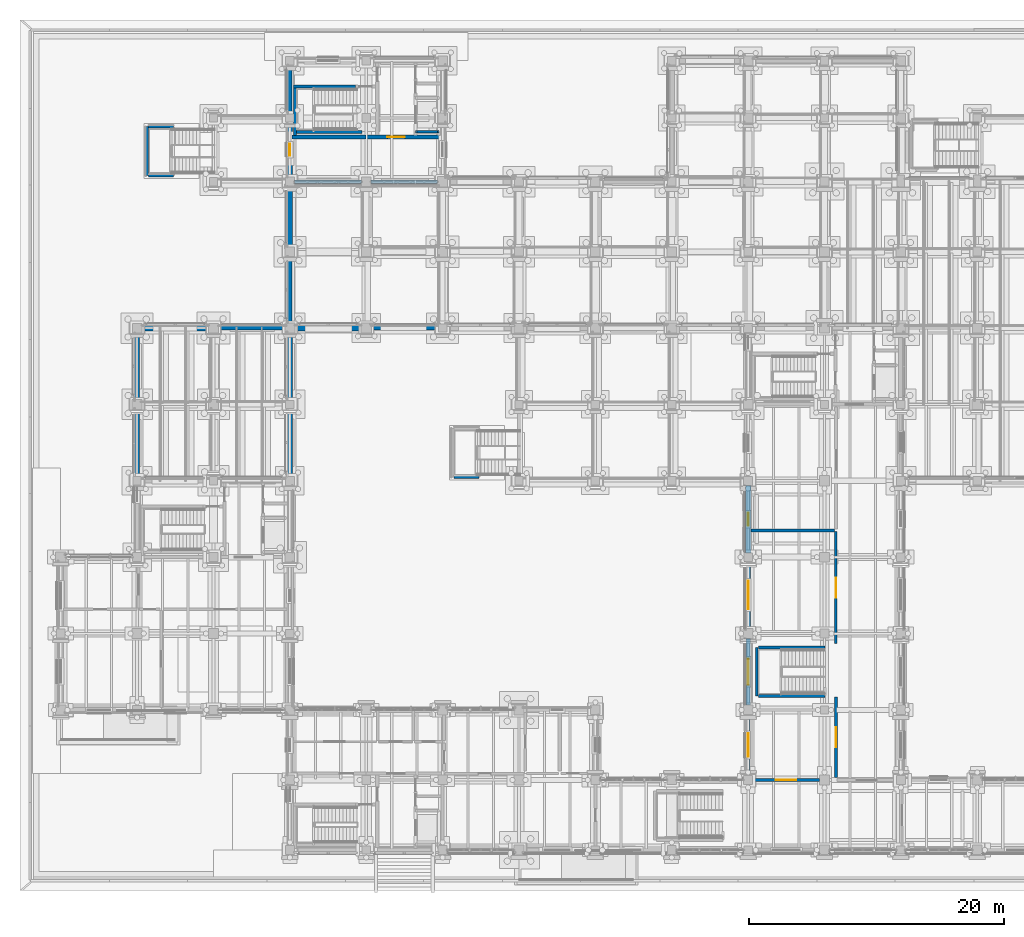
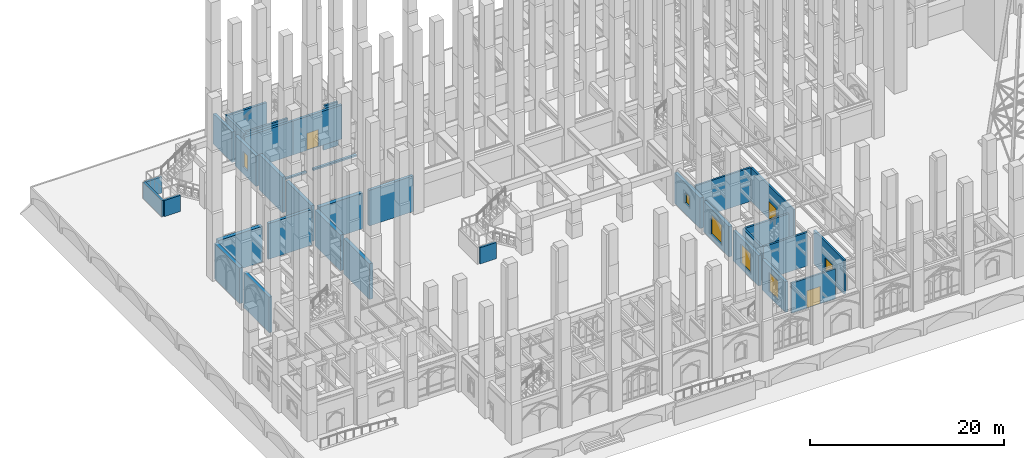
# One storey, part 61 of 135: 36 walls, 5 windows, 4 doors, 9 openings.
"""IFC4 building model written with IfcOpenShell, lengths in metres."""

import ifcopenshell
import ifcopenshell.guid

model = None  # the IFC model being written
_history = None  # IfcOwnerHistory: only IFC2X3 demands one
_inside = {}  # id of a spatial element -> (the spatial element, [elements in it])
_under = {}  # id of a project, library or spatial element -> (it, [spatial elements below it])
_declared = {}  # id of a project -> (the project, [libraries it declares])
_typed = {}  # id of a type object -> (the type object, [elements of that type])
_made_of = {}  # id of a material, layer set ... -> (it, [elements and type objects made of it])


def new_model(schema):
    """Start an empty IFC model of exactly this schema.

    Asked for "IFC4X3", IfcOpenShell would pick the latest addendum, in which some entities
    have other attributes; the version numbers below select the first issue.
    IFC2X3 requires an IfcOwnerHistory on every rooted entity: one is made here for all.
    """
    global model, _history
    if schema == "IFC4X3":
        model = ifcopenshell.file(schema_version=(4, 3, 0, 0))
    else:
        model = ifcopenshell.file(schema=schema)
    _inside.clear()
    _under.clear()
    _declared.clear()
    _typed.clear()
    _made_of.clear()
    _history = None
    if model.schema == "IFC2X3":
        org = make("IfcOrganization", Name="unknown")
        user = make(
            "IfcPersonAndOrganization",
            ThePerson=make("IfcPerson", FamilyName="unknown"),
            TheOrganization=org,
        )
        app = make(
            "IfcApplication",
            ApplicationDeveloper=org,
            Version="unknown",
            ApplicationFullName="unknown",
            ApplicationIdentifier="unknown",
        )
        _history = make(
            "IfcOwnerHistory",
            OwningUser=user,
            OwningApplication=app,
            ChangeAction="ADDED",
            CreationDate=0,
        )
    return model


def make(cls, **values):
    """One entity of the class cls with the attributes given. An attribute that is None is left unset."""
    return model.create_entity(
        cls, **{name: value for name, value in values.items() if value is not None}
    )


def rooted(cls, **values):
    """An entity with a GlobalId (a new one), such as an element, a storey or a relation."""
    return make(cls, GlobalId=ifcopenshell.guid.new(), OwnerHistory=_history, **values)


def si_unit(unit_type, name, prefix=None):
    """IfcSIUnit, for example si_unit("LENGTHUNIT", "METRE", prefix="MILLI")."""
    return make("IfcSIUnit", UnitType=unit_type, Prefix=prefix, Name=name)


def assignment(units):
    """IfcUnitAssignment: the units of a project."""
    return None if units is None else make("IfcUnitAssignment", Units=units)


def point(xyz):
    """IfcCartesianPoint."""
    return None if xyz is None else make("IfcCartesianPoint", Coordinates=xyz)


def direction(xyz):
    """IfcDirection."""
    return None if xyz is None else make("IfcDirection", DirectionRatios=xyz)


def frame(location, z_axis=None, x_axis=None):
    """IfcAxis2Placement3D, a coordinate frame: its origin and axes. An axis left out is left unset."""
    return make(
        "IfcAxis2Placement3D",
        Location=point(location),
        Axis=direction(z_axis),
        RefDirection=direction(x_axis),
    )


def frame_2d(location, x_axis=None):
    """IfcAxis2Placement2D, a coordinate frame in the plane: its origin and x axis."""
    return make(
        "IfcAxis2Placement2D", Location=point(location), RefDirection=direction(x_axis)
    )


def origin():
    """The frame at (0, 0, 0) with its axes left unset."""
    return frame((0.0, 0.0, 0.0))


def place(relative_to, where):
    """IfcLocalPlacement: puts the frame where relative to a parent placement (None: the world)."""
    return make(
        "IfcLocalPlacement", PlacementRelTo=relative_to, RelativePlacement=where
    )


def context(
    kind, dimensions, precision=None, world=None, true_north=None, identifier=None
):
    """IfcGeometricRepresentationContext, for example the 3D "Model" context."""
    return make(
        "IfcGeometricRepresentationContext",
        ContextIdentifier=identifier,
        ContextType=kind,
        CoordinateSpaceDimension=dimensions,
        Precision=precision,
        WorldCoordinateSystem=world,
        TrueNorth=true_north,
    )


def subcontext(parent, identifier, kind, view, scale=None):
    """IfcGeometricRepresentationSubContext, for example "Body" below "Model"."""
    return make(
        "IfcGeometricRepresentationSubContext",
        ContextIdentifier=identifier,
        ContextType=kind,
        ParentContext=parent,
        TargetScale=scale,
        TargetView=view,
    )


def project(units=None, contexts=None):
    """IfcProject with its units and contexts."""
    return rooted(
        "IfcProject",
        Name="project",
        RepresentationContexts=contexts,
        UnitsInContext=assignment(units),
    )


def spatial(cls, under=None, at=None, **own):
    """A site, building, storey or space (cls), placed at a placement, below another one or the project."""
    s = rooted(cls, ObjectPlacement=at, **own)
    if under is not None:
        _under.setdefault(under.id(), (under, []))[1].append(s)
    return s


def profile(cls, at=None, kind="AREA", **sizes):
    """A parametric profile (cls). Its sizes go by their IFC names, for example OverallWidth=200.0."""
    return make(cls, ProfileType=kind, Position=at, **sizes)


def rectangle(**sizes):
    """IfcRectangleProfileDef."""
    return profile("IfcRectangleProfileDef", **sizes)


def extrude(swept, where, along, depth):
    """IfcExtrudedAreaSolid: the profile swept, set in the frame where, extruded along a direction by depth."""
    return make(
        "IfcExtrudedAreaSolid",
        SweptArea=swept,
        Position=where,
        ExtrudedDirection=direction(along),
        Depth=depth,
    )


def shape(context_of_items, identifier, shape_type, items):
    """IfcShapeRepresentation: the items that make up one representation, for example the "Body"."""
    return make(
        "IfcShapeRepresentation",
        ContextOfItems=context_of_items,
        RepresentationIdentifier=identifier,
        RepresentationType=shape_type,
        Items=items,
    )


def material(Name=None, Category=None):
    """IfcMaterial."""
    return make("IfcMaterial", Name=Name, Category=Category)


def layer(
    of_material, thickness, ventilated=None, Name=None, Category=None, Priority=None
):
    """IfcMaterialLayer: one layer of a wall or slab, of a material (None: an air gap)."""
    return make(
        "IfcMaterialLayer",
        Material=of_material,
        LayerThickness=thickness,
        IsVentilated=ventilated,
        Name=Name,
        Category=Category,
        Priority=Priority,
    )


def layer_set(layers, Name=None):
    """IfcMaterialLayerSet."""
    return make("IfcMaterialLayerSet", MaterialLayers=layers, LayerSetName=Name)


def made_of(thing, what):
    """Note that an element or type object is made of a material, layer set ...; save() writes the relation."""
    if what is not None:
        _made_of.setdefault(what.id(), (what, []))[1].append(thing)
    return thing


def type_object(cls, material=None, **own):
    """A type object (cls), such as IfcWallType, which elements share."""
    return made_of(rooted(cls, **own), material)


def element(
    cls,
    number,
    at=None,
    inside=None,
    cuts=None,
    type_object=None,
    material=None,
    context=None,
    identifier="Body",
    shape_type=None,
    held_by="IfcProductDefinitionShape",
    body=None,
    shapes=None,
    **own,
):
    """One element of the class cls, such as IfcWall. Its Tag is "e" and its number.

    at: its placement. inside: the storey or other place that contains it. cuts: it is an
    opening in that element (IfcRelVoidsElement). A single representation is given by context,
    identifier, shape_type and body (its items); several are given by shapes. held_by: the class
    of the entity that holds the representations. save() writes the other relations.
    """
    e = rooted(cls, Tag="e%d" % number, ObjectPlacement=at, **own)
    if body is not None:
        shapes = [shape(context, identifier, shape_type, body)]
    if shapes is not None:
        e.Representation = make(held_by, Representations=shapes)
    if inside is not None:
        _inside.setdefault(inside.id(), (inside, []))[1].append(e)
    if cuts is not None:
        rooted(
            "IfcRelVoidsElement", RelatingBuildingElement=cuts, RelatedOpeningElement=e
        )
    if type_object is not None:
        _typed.setdefault(type_object.id(), (type_object, []))[1].append(e)
    return made_of(e, material)


def fill(opening, filler):
    """IfcRelFillsElement: the door or window that sits in an opening."""
    return rooted(
        "IfcRelFillsElement",
        RelatingOpeningElement=opening,
        RelatedBuildingElement=filler,
    )


def aggregate(whole, parts):
    """IfcRelAggregates: a whole, such as a stair, and the parts it consists of."""
    return rooted("IfcRelAggregates", RelatingObject=whole, RelatedObjects=parts)


def save(model, path):
    """Write the relations noted so far, then the file.

    IfcRelAggregates (storeys below a building ...), IfcRelContainedInSpatialStructure (elements
    in a storey), IfcRelDefinesByType, IfcRelAssociatesMaterial and IfcRelDeclares: one each for
    every whole, place, type object, material and project.
    """
    for whole, parts in _under.values():
        aggregate(whole, parts)
    for where, things in _inside.values():
        rooted(
            "IfcRelContainedInSpatialStructure",
            RelatedElements=things,
            RelatingStructure=where,
        )
    for kind, things in _typed.values():
        rooted("IfcRelDefinesByType", RelatedObjects=things, RelatingType=kind)
    for what, things in _made_of.values():
        rooted("IfcRelAssociatesMaterial", RelatedObjects=things, RelatingMaterial=what)
    for by, libraries in _declared.values():
        rooted("IfcRelDeclares", RelatingContext=by, RelatedDefinitions=libraries)
    model.write(path)


model = new_model("IFC4")

# Units and contexts
model_context = context("Model", 3, precision=1e-05, world=origin(), true_north=direction((0.0, 1.0)))
body_context = subcontext(model_context, "Body", "Model", "MODEL_VIEW")
ifc_project = project(units=[si_unit("LENGTHUNIT", "METRE"), si_unit("AREAUNIT", "SQUARE_METRE"), si_unit("VOLUMEUNIT", "CUBIC_METRE"), si_unit("PLANEANGLEUNIT", "RADIAN"), si_unit("MASSUNIT", "GRAM", prefix="KILO")], contexts=[model_context])

# Site, building, storey
site_placement = place(None, origin())
site = spatial("IfcSite", under=ifc_project, at=site_placement, CompositionType="ELEMENT")
building_placement = place(site_placement, origin())
building = spatial("IfcBuilding", under=site, at=building_placement, Name="Cumevento Cable Car Station", CompositionType="ELEMENT")
storey_placement = place(building_placement, origin())
storey = spatial("IfcBuildingStorey", under=building, at=storey_placement, Name="L01", CompositionType="ELEMENT", Elevation=0.0)

# Walls
ifc_material_1 = material(Name="Gnaisse Facoidal Stone Ashlar 85 MPa", Category="masonry")
ifc_layer_1 = layer(ifc_material_1, 0.294921875)
ifc_layer_set_1 = layer_set([ifc_layer_1], Name="Gnaisse Facoidal Stone Ashlar 85 MPa")
wall_type_1 = type_object("IfcWallType", Name="Exterior Envelope Wall EW-295 295", PredefinedType="SOLIDWALL", material=ifc_layer_set_1)
wall_1_placement = place(storey_placement, frame((27.625, 56.5, 0.0), z_axis=(0.0, 0.0, 1.0), x_axis=(-1.0, 0.0, 0.0)))
element("IfcWall", 1, at=wall_1_placement, inside=storey, type_object=wall_type_1, Name="Exterior Sill Curb Wall EW-295 L01 #56", PredefinedType="SOLIDWALL", context=body_context, shape_type="SweptSolid", body=[
    extrude(rectangle(XDim=5.27490234375, YDim=0.294921875, at=frame_2d((2.637451171875, 0.0))), origin(), (0.0, 0.0, 1.0), 0.159912109375),
])
wall_2_placement = place(storey_placement, frame((33.60009765625, 56.5, 0.0), z_axis=(0.0, 0.0, 1.0), x_axis=(-1.0, 0.0, 0.0)))
element("IfcWall", 2, at=wall_2_placement, inside=storey, type_object=wall_type_1, Name="Exterior Sill Curb Wall EW-295 L01 #58", PredefinedType="SOLIDWALL", context=body_context, shape_type="SweptSolid", body=[
    extrude(rectangle(XDim=5.22509765625, YDim=0.294921875, at=frame_2d((2.612548828125, 0.0))), origin(), (0.0, 0.0, 1.0), 0.2099609375),
])

# Wall, opening, window
ifc_material_2 = material(Name="Gnaisse Facoidal Stone Ashlar 85 MPa", Category="masonry")
ifc_layer_2 = layer(ifc_material_2, 0.324951171875)
ifc_layer_set_2 = layer_set([ifc_layer_2], Name="Gnaisse Facoidal Stone Ashlar 85 MPa")
wall_type_2 = type_object("IfcWallType", Name="Exterior Envelope Wall EW-325 325", PredefinedType="SOLIDWALL", material=ifc_layer_set_2)
wall_3_placement = place(storey_placement, frame((58.0, 9.85009765625, 0.0), z_axis=(0.0, 0.0, 1.0), x_axis=(0.0, 1.0, 0.0)))
wall_3 = element("IfcWall", 3, at=wall_3_placement, inside=storey, type_object=wall_type_2, Name="Exterior Wall EW-325 L01 #30", PredefinedType="SOLIDWALL", context=body_context, shape_type="SweptSolid", body=[
    extrude(rectangle(XDim=4.77490234375, YDim=0.324951171875, at=frame_2d((2.387451171875, 0.0))), origin(), (0.0, 0.0, 1.0), 3.844970703125),
])
opening_1_placement = place(wall_3_placement, frame((1.46240234375, 0.0, 0.699951171875)))
opening_1 = element("IfcOpeningElement", 4, at=opening_1_placement, cuts=wall_3, Name="Opening WN-L01-011", PredefinedType="OPENING", context=body_context, shape_type="SweptSolid", body=[
    extrude(rectangle(XDim=1.85009765625, YDim=2.35009765625, at=frame_2d((0.925048828125, 1.175048828125))), frame((0.0, 0.172607421875, 0.0), z_axis=(0.0, -1.0, 0.0), x_axis=(1.0, 0.0, 0.0)), (0.0, 0.0, 1.0), 0.344970703125),
])
ifc_material_3 = material(Name="Anodised Bronze Aluminium & Laminated Solar Glass", Category="aluminium")
window_type_1 = type_object("IfcWindowType", Name="Lancet Window WN-11 1850x2350", PartitioningType="DOUBLE_PANEL_VERTICAL", PredefinedType="WINDOW", material=ifc_material_3)
window_1_placement = place(opening_1_placement, origin())
window_1 = element("IfcWindow", 5, at=window_1_placement, inside=storey, type_object=window_type_1, Name="Lancet Window WN-L01-011 (WN-11)", OverallHeight=2.35009765625, OverallWidth=1.85009765625, PartitioningType="SINGLE_PANEL", PredefinedType="WINDOW", context=body_context, shape_type="SweptSolid", body=[
    extrude(rectangle(XDim=1.85009765625, YDim=2.35009765625, at=frame_2d((0.925048828125, 1.175048828125))), frame((0.0, 0.030029296875, 0.0), z_axis=(0.0, -1.0, 0.0), x_axis=(1.0, 0.0, 0.0)), (0.0, 0.0, 1.0), 0.06005859375),
])
fill(opening_1, window_1)

ifc_material_4 = material(Name="Concrete C40/50", Category="concrete")
ifc_layer_3 = layer(ifc_material_4, 0.35498046875)
ifc_layer_set_3 = layer_set([ifc_layer_3], Name="Concrete C40/50")
wall_type_3 = type_object("IfcWallType", Name="Exterior Envelope Wall EW-355 355", PredefinedType="SOLIDWALL", material=ifc_layer_set_3)
wall_4_placement = place(storey_placement, frame((58.0, 15.375, 0.0), z_axis=(0.0, 0.0, 1.0), x_axis=(0.0, 1.0, 0.0)))
wall_4 = element("IfcWall", 6, at=wall_4_placement, inside=storey, type_object=wall_type_3, Name="Exterior Wall EW-355 L01 #32", PredefinedType="SOLIDWALL", context=body_context, shape_type="SweptSolid", body=[
    extrude(rectangle(XDim=5.22509765625, YDim=0.35498046875, at=frame_2d((2.612548828125, 0.0))), origin(), (0.0, 0.0, 1.0), 3.844970703125),
])
opening_2_placement = place(wall_4_placement, frame((1.58740234375, 0.0, 0.699951171875)))
opening_2 = element("IfcOpeningElement", 7, at=opening_2_placement, cuts=wall_4, Name="Opening WN-L01-013", PredefinedType="OPENING", context=body_context, shape_type="SweptSolid", body=[
    extrude(rectangle(XDim=2.050048828125, YDim=2.39990234375, at=frame_2d((1.02490234375, 1.199951171875))), frame((0.0, 0.1875, 0.0), z_axis=(0.0, -1.0, 0.0), x_axis=(1.0, 0.0, 0.0)), (0.0, 0.0, 1.0), 0.375),
])
ifc_material_5 = material(Name="Anodised Bronze Aluminium & Laminated Solar Glass", Category="aluminium")
window_type_2 = type_object("IfcWindowType", Name="Lancet Window WN-13 2050x2400", PartitioningType="DOUBLE_PANEL_VERTICAL", PredefinedType="WINDOW", material=ifc_material_5)
window_2_placement = place(opening_2_placement, origin())
window_2 = element("IfcWindow", 8, at=window_2_placement, inside=storey, type_object=window_type_2, Name="Lancet Window WN-L01-013 (WN-13)", OverallHeight=2.39990234375, OverallWidth=2.050048828125, PartitioningType="SINGLE_PANEL", PredefinedType="WINDOW", context=body_context, shape_type="SweptSolid", body=[
    extrude(rectangle(XDim=2.050048828125, YDim=2.39990234375, at=frame_2d((1.02490234375, 1.199951171875))), frame((0.0, 0.030029296875, 0.0), z_axis=(0.0, -1.0, 0.0), x_axis=(1.0, 0.0, 0.0)), (0.0, 0.0, 1.0), 0.06005859375),
])
fill(opening_2, window_2)

# Wall
wall_5_placement = place(storey_placement, frame((22.0, 61.824951171875, 0.0), z_axis=(0.0, 0.0, 1.0), x_axis=(0.0, 1.0, 0.0)))
element("IfcWall", 9, at=wall_5_placement, inside=storey, type_object=wall_type_3, Name="Exterior Wall EW-355 L01 #62", PredefinedType="SOLIDWALL", context=body_context, shape_type="SweptSolid", body=[
    extrude(rectangle(XDim=3.85009765625, YDim=0.35498046875, at=frame_2d((1.925048828125, 0.0))), origin(), (0.0, 0.0, 1.0), 3.843017578125),
])

# Wall, opening, window
ifc_material_6 = material(Name="Gnaisse Facoidal Stone Ashlar 85 MPa", Category="masonry")
ifc_layer_4 = layer(ifc_material_6, 0.385009765625)
ifc_layer_set_4 = layer_set([ifc_layer_4], Name="Gnaisse Facoidal Stone Ashlar 85 MPa")
wall_type_4 = type_object("IfcWallType", Name="Exterior Envelope Wall EW-385 385", PredefinedType="SOLIDWALL", material=ifc_layer_set_4)
wall_6_placement = place(storey_placement, frame((58.0, 21.39990234375, 0.0), z_axis=(0.0, 0.0, 1.0), x_axis=(0.0, 1.0, 0.0)))
wall_6 = element("IfcWall", 10, at=wall_6_placement, inside=storey, type_object=wall_type_4, Name="Exterior Wall EW-385 L01 #34", PredefinedType="SOLIDWALL", context=body_context, shape_type="SweptSolid", body=[
    extrude(rectangle(XDim=5.275146484375, YDim=0.385009765625, at=frame_2d((2.6376953125, 0.0))), origin(), (0.0, 0.0, 1.0), 3.844970703125),
])
opening_3_placement = place(wall_6_placement, frame((1.512451171875, 0.0, 0.64990234375)))
opening_3 = element("IfcOpeningElement", 11, at=opening_3_placement, cuts=wall_6, Name="Opening WN-L01-015", PredefinedType="OPENING", context=body_context, shape_type="SweptSolid", body=[
    extrude(rectangle(XDim=2.25, YDim=2.449951171875, at=frame_2d((1.125, 1.22509765625))), frame((0.0, 0.202392578125, 0.0), z_axis=(0.0, -1.0, 0.0), x_axis=(1.0, 0.0, 0.0)), (0.0, 0.0, 1.0), 0.405029296875),
])
ifc_material_7 = material(Name="Anodised Bronze Aluminium & Laminated Solar Glass", Category="aluminium")
window_type_3 = type_object("IfcWindowType", Name="Lancet Window WN-15 2250x2450", PartitioningType="DOUBLE_PANEL_VERTICAL", PredefinedType="WINDOW", material=ifc_material_7)
window_3_placement = place(opening_3_placement, origin())
window_3 = element("IfcWindow", 12, at=window_3_placement, inside=storey, type_object=window_type_3, Name="Lancet Window WN-L01-015 (WN-15)", OverallHeight=2.449951171875, OverallWidth=2.25, PartitioningType="SINGLE_PANEL", PredefinedType="WINDOW", context=body_context, shape_type="SweptSolid", body=[
    extrude(rectangle(XDim=2.25, YDim=2.449951171875, at=frame_2d((1.125, 1.22509765625))), frame((0.0, 0.030029296875, 0.0), z_axis=(0.0, -1.0, 0.0), x_axis=(1.0, 0.0, 0.0)), (0.0, 0.0, 1.0), 0.06005859375),
])
fill(opening_3, window_3)

wall_7_placement = place(storey_placement, frame((22.0, 56.85009765625, 0.0), z_axis=(0.0, 0.0, 1.0), x_axis=(0.0, 1.0, 0.0)))
wall_7 = element("IfcWall", 13, at=wall_7_placement, inside=storey, type_object=wall_type_4, Name="Exterior Wall EW-385 L01 #60", PredefinedType="SOLIDWALL", context=body_context, shape_type="SweptSolid", body=[
    extrude(rectangle(XDim=4.324951171875, YDim=0.385009765625, at=frame_2d((2.16259765625, 0.0))), origin(), (0.0, 0.0, 1.0), 3.843017578125),
])
opening_4_placement = place(wall_7_placement, frame((1.6875, 0.0, 0.89990234375)))
opening_4 = element("IfcOpeningElement", 14, at=opening_4_placement, cuts=wall_7, Name="Opening WN-L01-026", PredefinedType="OPENING", context=body_context, shape_type="SweptSolid", body=[
    extrude(rectangle(XDim=0.949951171875, YDim=1.949951171875, at=frame_2d((0.47509765625, 0.97509765625))), frame((0.0, 0.202392578125, 0.0), z_axis=(0.0, -1.0, 0.0), x_axis=(1.0, 0.0, 0.0)), (0.0, 0.0, 1.0), 0.405029296875),
])
ifc_material_8 = material(Name="Anodised Bronze Aluminium & Laminated Solar Glass", Category="aluminium")
window_type_4 = type_object("IfcWindowType", Name="Lancet Window WN-02 950x1950", PartitioningType="SINGLE_PANEL", PredefinedType="WINDOW", material=ifc_material_8)
window_4_placement = place(opening_4_placement, origin())
window_4 = element("IfcWindow", 15, at=window_4_placement, inside=storey, type_object=window_type_4, Name="Lancet Window WN-L01-026 (WN-02)", OverallHeight=1.949951171875, OverallWidth=0.949951171875, PartitioningType="SINGLE_PANEL", PredefinedType="WINDOW", context=body_context, shape_type="SweptSolid", body=[
    extrude(rectangle(XDim=0.949951171875, YDim=1.949951171875, at=frame_2d((0.47509765625, 0.97509765625))), frame((0.0, 0.030029296875, 0.0), z_axis=(0.0, -1.0, 0.0), x_axis=(1.0, 0.0, 0.0)), (0.0, 0.0, 1.0), 0.06005859375),
])
fill(opening_4, window_4)

ifc_material_9 = material(Name="Gnaisse Facoidal Stone Ashlar 85 MPa", Category="masonry")
ifc_layer_5 = layer(ifc_material_9, 0.4150390625)
ifc_layer_set_5 = layer_set([ifc_layer_5], Name="Gnaisse Facoidal Stone Ashlar 85 MPa")
wall_type_5 = type_object("IfcWallType", Name="Exterior Envelope Wall EW-415 415", PredefinedType="SOLIDWALL", material=ifc_layer_set_5)
wall_8_placement = place(storey_placement, frame((58.0, 27.324951171875, 0.0), z_axis=(0.0, 0.0, 1.0), x_axis=(0.0, 1.0, 0.0)))
wall_8 = element("IfcWall", 16, at=wall_8_placement, inside=storey, type_object=wall_type_5, Name="Exterior Wall EW-415 L01 #36", PredefinedType="SOLIDWALL", context=body_context, shape_type="SweptSolid", body=[
    extrude(rectangle(XDim=5.324951171875, YDim=0.4150390625, at=frame_2d((2.66259765625, 0.0))), origin(), (0.0, 0.0, 1.0), 3.843017578125),
])
opening_5_placement = place(wall_8_placement, frame((2.16259765625, 0.0, 1.35009765625)))
opening_5 = element("IfcOpeningElement", 17, at=opening_5_placement, cuts=wall_8, Name="Opening WN-L01-017", PredefinedType="OPENING", context=body_context, shape_type="SweptSolid", body=[
    extrude(rectangle(XDim=1.0, YDim=1.35009765625, at=frame_2d((0.5, 0.675048828125))), frame((0.0, 0.217529296875, 0.0), z_axis=(0.0, -1.0, 0.0), x_axis=(1.0, 0.0, 0.0)), (0.0, 0.0, 1.0), 0.43505859375),
])
ifc_material_10 = material(Name="Anodised Bronze Aluminium & Laminated Solar Glass", Category="aluminium")
window_type_5 = type_object("IfcWindowType", Name="Lancet Window WN-17 1000x1350", PartitioningType="SINGLE_PANEL", PredefinedType="WINDOW", material=ifc_material_10)
window_5_placement = place(opening_5_placement, origin())
window_5 = element("IfcWindow", 18, at=window_5_placement, inside=storey, type_object=window_type_5, Name="Lancet Window WN-L01-017 (WN-17)", OverallHeight=1.35009765625, OverallWidth=1.0, PartitioningType="SINGLE_PANEL", PredefinedType="WINDOW", context=body_context, shape_type="SweptSolid", body=[
    extrude(rectangle(XDim=1.0, YDim=1.35009765625, at=frame_2d((0.5, 0.675048828125))), frame((0.0, 0.030029296875, 0.0), z_axis=(0.0, -1.0, 0.0), x_axis=(1.0, 0.0, 0.0)), (0.0, 0.0, 1.0), 0.06005859375),
])
fill(opening_5, window_5)

# Wall, opening, door
ifc_material_11 = material(Name="Concrete C40/50", Category="concrete")
ifc_layer_6 = layer(ifc_material_11, 0.199951171875)
ifc_layer_set_6 = layer_set([ifc_layer_6], Name="Concrete C40/50")
wall_type_6 = type_object("IfcWallType", Name="Interior Partition FW-200 200", PredefinedType="SOLIDWALL", material=ifc_layer_set_6)
wall_9_placement = place(storey_placement, frame((64.89990234375, 20.199951171875, 0.0), z_axis=(0.0, 0.0, 1.0), x_axis=(0.0, 1.0, 0.0)))
wall_9 = element("IfcWall", 19, at=wall_9_placement, inside=storey, type_object=wall_type_6, Name="Interior Wall FW-200 L01 #577", PredefinedType="SOLIDWALL", context=body_context, shape_type="SweptSolid", body=[
    extrude(rectangle(XDim=8.800048828125, YDim=0.199951171875, at=frame_2d((4.39990234375, 0.0))), origin(), (0.0, 0.0, 1.0), 4.251953125),
])
opening_6_placement = place(wall_9_placement, frame((3.610107421875, 0.0, 0.0)))
opening_6 = element("IfcOpeningElement", 20, at=opening_6_placement, cuts=wall_9, Name="Opening DR-L01-192", PredefinedType="OPENING", context=body_context, shape_type="SweptSolid", body=[
    extrude(rectangle(XDim=1.580078125, YDim=2.199951171875, at=frame_2d((0.7900390625, 1.10009765625))), frame((0.0, 0.110107421875, 0.0), z_axis=(0.0, -1.0, 0.0), x_axis=(1.0, 0.0, 0.0)), (0.0, 0.0, 1.0), 0.219970703125),
])
ifc_material_12 = material(Name="Galvanised Painted Steel Fire Door", Category="steel")
door_type_1 = type_object("IfcDoorType", Name="Interior Door FD-06 1580x2200", OperationType="NOTDEFINED", PredefinedType="DOOR", material=ifc_material_12)
door_1_placement = place(opening_6_placement, origin())
door_1 = element("IfcDoor", 21, at=door_1_placement, inside=storey, type_object=door_type_1, Name="Interior Door DR-L01-192 (FD-06)", OperationType="DOUBLE_DOOR_SINGLE_SWING", OverallHeight=2.199951171875, OverallWidth=1.580078125, PredefinedType="DOOR", context=body_context, shape_type="SweptSolid", body=[
    extrude(rectangle(XDim=1.580078125, YDim=2.199951171875, at=frame_2d((0.7900390625, 1.10009765625))), frame((0.0, 0.02490234375, 0.0), z_axis=(0.0, -1.0, 0.0), x_axis=(1.0, 0.0, 0.0)), (0.0, 0.0, 1.0), 0.050048828125),
])
fill(opening_6, door_1)

ifc_material_13 = material(Name="Concrete C40/50", Category="concrete")
ifc_layer_7 = layer(ifc_material_13, 0.219970703125)
ifc_layer_set_7 = layer_set([ifc_layer_7], Name="Concrete C40/50")
wall_type_7 = type_object("IfcWallType", Name="Interior Partition FW-220 220", PredefinedType="SOLIDWALL", material=ifc_layer_set_7)
wall_10_placement = place(storey_placement, frame((58.35205078125, 9.5, 0.0), z_axis=(0.0, 0.0, 1.0), x_axis=(1.0, 0.0, 0.0)))
wall_10 = element("IfcWall", 22, at=wall_10_placement, inside=storey, type_object=wall_type_7, Name="Interior Wall FW-220 L01 #572", PredefinedType="SOLIDWALL", context=body_context, shape_type="SweptSolid", body=[
    extrude(rectangle(XDim=5.245849609375, YDim=0.219970703125, at=frame_2d((2.623046875, 0.0))), origin(), (0.0, 0.0, 1.0), 3.7890625),
])
opening_7_placement = place(wall_10_placement, frame((1.8330078125, 0.0, 0.0)))
opening_7 = element("IfcOpeningElement", 23, at=opening_7_placement, cuts=wall_10, Name="Opening DR-L01-188", PredefinedType="OPENING", context=body_context, shape_type="SweptSolid", body=[
    extrude(rectangle(XDim=1.580078125, YDim=2.199951171875, at=frame_2d((0.7900390625, 1.10009765625))), frame((0.0, 0.119873046875, 0.0), z_axis=(0.0, -1.0, 0.0), x_axis=(1.0, 0.0, 0.0)), (0.0, 0.0, 1.0), 0.239990234375),
])
door_2_placement = place(opening_7_placement, origin())
door_2 = element("IfcDoor", 24, at=door_2_placement, inside=storey, type_object=door_type_1, Name="Interior Door DR-L01-188 (FD-06)", OperationType="DOUBLE_DOOR_SINGLE_SWING", OverallHeight=2.199951171875, OverallWidth=1.580078125, PredefinedType="DOOR", context=body_context, shape_type="SweptSolid", body=[
    extrude(rectangle(XDim=1.580078125, YDim=2.199951171875, at=frame_2d((0.7900390625, 1.10009765625))), frame((0.0, 0.02490234375, 0.0), z_axis=(0.0, -1.0, 0.0), x_axis=(1.0, 0.0, 0.0)), (0.0, 0.0, 1.0), 0.050048828125),
])
fill(opening_7, door_2)

# Wall
wall_11_placement = place(storey_placement, frame((58.20947265625, 29.10009765625, 0.0), z_axis=(0.0, 0.0, 1.0), x_axis=(1.0, 0.0, 0.0)))
element("IfcWall", 25, at=wall_11_placement, inside=storey, type_object=wall_type_7, Name="Interior Wall FW-220 L01 #579", PredefinedType="SOLIDWALL", context=body_context, shape_type="SweptSolid", body=[
    extrude(rectangle(XDim=6.590576171875, YDim=0.219970703125, at=frame_2d((3.29541015625, 0.0))), origin(), (0.0, 0.0, 1.0), 4.251953125),
])

# Wall, opening, door
ifc_material_14 = material(Name="Acoustic Masonry Block Partition", Category="masonry")
ifc_layer_8 = layer(ifc_material_14, 0.2451171875)
ifc_layer_set_8 = layer_set([ifc_layer_8], Name="Acoustic Masonry Block Partition")
wall_type_8 = type_object("IfcWallType", Name="Interior Partition PT-245 245", PredefinedType="PARTITIONING", material=ifc_layer_set_8)
wall_12_placement = place(storey_placement, frame((64.89990234375, 9.699951171875, 0.0), z_axis=(0.0, 0.0, 1.0), x_axis=(0.0, 1.0, 0.0)))
wall_12 = element("IfcWall", 26, at=wall_12_placement, inside=storey, type_object=wall_type_8, Name="Interior Wall PT-245 L01 #576", PredefinedType="PARTITIONING", context=body_context, shape_type="SweptSolid", body=[
    extrude(rectangle(XDim=6.300048828125, YDim=0.2451171875, at=frame_2d((3.14990234375, 0.0))), origin(), (0.0, 0.0, 1.0), 4.251953125),
])
opening_8_placement = place(wall_12_placement, frame((2.360107421875, 0.0, 0.0)))
opening_8 = element("IfcOpeningElement", 27, at=opening_8_placement, cuts=wall_12, Name="Opening DR-L01-191", PredefinedType="OPENING", context=body_context, shape_type="SweptSolid", body=[
    extrude(rectangle(XDim=1.580078125, YDim=2.199951171875, at=frame_2d((0.7900390625, 1.10009765625))), frame((0.0, 0.132568359375, 0.0), z_axis=(0.0, -1.0, 0.0), x_axis=(1.0, 0.0, 0.0)), (0.0, 0.0, 1.0), 0.26513671875),
])
door_3_placement = place(opening_8_placement, origin())
door_3 = element("IfcDoor", 28, at=door_3_placement, inside=storey, type_object=door_type_1, Name="Interior Door DR-L01-191 (FD-06)", OperationType="DOUBLE_DOOR_SINGLE_SWING", OverallHeight=2.199951171875, OverallWidth=1.580078125, PredefinedType="DOOR", context=body_context, shape_type="SweptSolid", body=[
    extrude(rectangle(XDim=1.580078125, YDim=2.199951171875, at=frame_2d((0.7900390625, 1.10009765625))), frame((0.0, 0.02490234375, 0.0), z_axis=(0.0, -1.0, 0.0), x_axis=(1.0, 0.0, 0.0)), (0.0, 0.0, 1.0), 0.050048828125),
])
fill(opening_8, door_3)

# Walls
ifc_material_15 = material(Name="Concrete C40/50", Category="concrete")
ifc_layer_9 = layer(ifc_material_15, 0.22998046875)
ifc_layer_set_9 = layer_set([ifc_layer_9], Name="Concrete C40/50")
wall_type_9 = type_object("IfcWallType", Name="Interior Shear Wall CW-230 230", PredefinedType="SHEAR", material=ifc_layer_set_9)
wall_13_placement = place(storey_placement, frame((31.8798828125, 60.419921875, -1.050048828125), z_axis=(0.0, 0.0, 1.0), x_axis=(1.0, 0.0, 0.0)))
element("IfcWall", 29, at=wall_13_placement, inside=storey, type_object=wall_type_9, Name="Interior Wall CW-230 L01 #338", PredefinedType="SHEAR", context=body_context, shape_type="SweptSolid", body=[
    extrude(rectangle(XDim=1.820068359375, YDim=0.22998046875, at=frame_2d((0.91015625, 0.0))), origin(), (0.0, 0.0, 1.0), 1.050048828125),
])
wall_14_placement = place(storey_placement, frame((22.405029296875, 60.114990234375, 0.0), z_axis=(0.0, 0.0, 1.0), x_axis=(0.0, 1.0, 0.0)))
element("IfcWall", 30, at=wall_14_placement, inside=storey, type_object=wall_type_9, Name="Interior Wall CW-230 L01 #348", PredefinedType="SHEAR", context=body_context, shape_type="SweptSolid", body=[
    extrude(rectangle(XDim=3.735107421875, YDim=0.22998046875, at=frame_2d((1.86767578125, 0.0))), origin(), (0.0, 0.0, 1.0), 4.5),
])
wall_15_placement = place(storey_placement, frame((22.52001953125, 60.405029296875, 0.0), z_axis=(0.0, 0.0, 1.0), x_axis=(1.0, 0.0, 0.0)))
element("IfcWall", 31, at=wall_15_placement, inside=storey, type_object=wall_type_9, Name="Interior Wall CW-230 L01 #349", PredefinedType="SHEAR", context=body_context, shape_type="SweptSolid", body=[
    extrude(rectangle(XDim=5.1298828125, YDim=0.22998046875, at=frame_2d((2.56494140625, 0.0))), origin(), (0.0, 0.0, 1.0), 4.5),
])
wall_16_placement = place(storey_placement, frame((32.0048828125, 60.419921875, 0.0), z_axis=(0.0, 0.0, 1.0), x_axis=(1.0, 0.0, 0.0)))
element("IfcWall", 32, at=wall_16_placement, inside=storey, type_object=wall_type_9, Name="Interior Wall CW-230 L01 #354", PredefinedType="SHEAR", context=body_context, shape_type="SweptSolid", body=[
    extrude(rectangle(XDim=1.580078125, YDim=0.22998046875, at=frame_2d((0.7900390625, 0.0))), origin(), (0.0, 0.0, 1.0), 4.5),
])
wall_17_placement = place(storey_placement, frame((58.679931640625, 16.080078125, 0.0), z_axis=(0.0, 0.0, 1.0), x_axis=(0.0, 1.0, 0.0)))
element("IfcWall", 33, at=wall_17_placement, inside=storey, type_object=wall_type_9, Name="Interior Wall CW-230 L01 #530", PredefinedType="SHEAR", context=body_context, shape_type="SweptSolid", body=[
    extrude(rectangle(XDim=3.83984375, YDim=0.22998046875, at=frame_2d((1.919921875, 0.0))), origin(), (0.0, 0.0, 1.0), 4.251953125),
])
for number, where, z_axis, x_axis, name in (
    (34, (58.800048828125, 16.080078125, 0.0), (0.0, 0.0, 1.0), (1.0, 0.0, 0.0), "Interior Wall CW-230 L01 #531"),
    (35, (58.800048828125, 19.919921875, 0.0), (0.0, 0.0, 1.0), (1.0, 0.0, 0.0), "Interior Wall CW-230 L01 #532"),
):
    element("IfcWall", number, at=place(storey_placement, frame(where, z_axis=z_axis, x_axis=x_axis)), inside=storey, type_object=wall_type_9, Name=name, PredefinedType="SHEAR", context=body_context, shape_type="SweptSolid", body=[
        extrude(rectangle(XDim=5.239990234375, YDim=0.22998046875, at=frame_2d((2.6201171875, 0.0))), origin(), (0.0, 0.0, 1.0), 4.251953125),
    ])
wall_18_placement = place(storey_placement, frame((34.89990234375, 33.280029296875, 0.0), z_axis=(0.0, 0.0, 1.0), x_axis=(1.0, 0.0, 0.0)))
element("IfcWall", 36, at=wall_18_placement, inside=storey, type_object=wall_type_9, Name="Interior Wall CW-230 L01 #546", PredefinedType="SHEAR", context=body_context, shape_type="SweptSolid", body=[
    extrude(rectangle(XDim=1.940185546875, YDim=0.22998046875, at=frame_2d((0.97021484375, 0.0))), origin(), (0.0, 0.0, 1.0), 2.06689453125),
])
wall_19_placement = place(storey_placement, frame((10.780029296875, 56.97998046875, 0.0), z_axis=(0.0, 0.0, 1.0), x_axis=(0.0, 1.0, 0.0)))
element("IfcWall", 37, at=wall_19_placement, inside=storey, type_object=wall_type_9, Name="Interior Wall CW-230 L01 #551", PredefinedType="SHEAR", context=body_context, shape_type="SweptSolid", body=[
    extrude(rectangle(XDim=3.840087890625, YDim=0.22998046875, at=frame_2d((1.919921875, 0.0))), origin(), (0.0, 0.0, 1.0), 2.051025390625),
])
for number, where, z_axis, x_axis, name in (
    (38, (10.89990234375, 56.97998046875, 0.0), (0.0, 0.0, 1.0), (1.0, 0.0, 0.0), "Interior Wall CW-230 L01 #552"),
    (39, (10.89990234375, 60.820068359375, 0.0), (0.0, 0.0, 1.0), (1.0, 0.0, 0.0), "Interior Wall CW-230 L01 #553"),
):
    element("IfcWall", number, at=place(storey_placement, frame(where, z_axis=z_axis, x_axis=x_axis)), inside=storey, type_object=wall_type_9, Name=name, PredefinedType="SHEAR", context=body_context, shape_type="SweptSolid", body=[
        extrude(rectangle(XDim=1.940185546875, YDim=0.22998046875, at=frame_2d((0.97021484375, 0.0))), origin(), (0.0, 0.0, 1.0), 2.051025390625),
    ])
ifc_material_16 = material(Name="Concrete C40/50", Category="concrete")
ifc_layer_10 = layer(ifc_material_16, 0.25)
ifc_layer_set_10 = layer_set([ifc_layer_10], Name="Concrete C40/50")
wall_type_10 = type_object("IfcWallType", Name="Interior Shear Wall CW-250 250", PredefinedType="SHEAR", material=ifc_layer_set_10)
wall_20_placement = place(storey_placement, frame((22.2900390625, 63.97509765625, 0.0), z_axis=(0.0, 0.0, 1.0), x_axis=(1.0, 0.0, 0.0)))
element("IfcWall", 40, at=wall_20_placement, inside=storey, type_object=wall_type_10, Name="Interior Wall CW-250 L01 #350", PredefinedType="SHEAR", context=body_context, shape_type="SweptSolid", body=[
    extrude(rectangle(XDim=4.869873046875, YDim=0.25, at=frame_2d((2.43505859375, 0.0))), origin(), (0.0, 0.0, 1.0), 4.5),
])
ifc_material_17 = material(Name="Concrete C40/50", Category="concrete")
ifc_layer_11 = layer(ifc_material_17, 0.300048828125)
ifc_layer_set_11 = layer_set([ifc_layer_11], Name="Concrete C40/50")
wall_type_11 = type_object("IfcWallType", Name="Interior Shear Wall CW-300 300", PredefinedType="SHEAR", material=ifc_layer_set_11)
wall_21_placement = place(storey_placement, frame((22.175048828125, 60.0, 0.0), z_axis=(0.0, 0.0, 1.0), x_axis=(1.0, 0.0, 0.0)))
element("IfcWall", 41, at=wall_21_placement, inside=storey, type_object=wall_type_11, Name="Interior Wall CW-300 L01 #346", PredefinedType="SHEAR", context=body_context, shape_type="SweptSolid", body=[
    extrude(rectangle(XDim=5.824951171875, YDim=0.300048828125, at=frame_2d((2.91259765625, 0.0))), origin(), (0.0, 0.0, 1.0), 4.2880859375),
])

# Wall, opening, door
wall_22_placement = place(storey_placement, frame((28.0, 60.0, 0.0), z_axis=(0.0, 0.0, 1.0), x_axis=(1.0, 0.0, 0.0)))
wall_22 = element("IfcWall", 42, at=wall_22_placement, inside=storey, type_object=wall_type_11, Name="Interior Wall CW-300 L01 #347", PredefinedType="SHEAR", context=body_context, shape_type="SweptSolid", body=[
    extrude(rectangle(XDim=5.824951171875, YDim=0.300048828125, at=frame_2d((2.91259765625, 0.0))), origin(), (0.0, 0.0, 1.0), 4.2880859375),
])
opening_9_placement = place(wall_22_placement, frame((1.659912109375, 0.0, 0.0)))
opening_9 = element("IfcOpeningElement", 43, at=opening_9_placement, cuts=wall_22, Name="Opening DR-L01-100", PredefinedType="OPENING", context=body_context, shape_type="SweptSolid", body=[
    extrude(rectangle(XDim=1.3798828125, YDim=2.159912109375, at=frame_2d((0.68994140625, 1.080078125))), frame((0.0, 0.159912109375, 0.0), z_axis=(0.0, -1.0, 0.0), x_axis=(1.0, 0.0, 0.0)), (0.0, 0.0, 1.0), 0.320068359375),
])
ifc_material_18 = material(Name="Galvanised Painted Steel Fire Door", Category="steel")
door_type_2 = type_object("IfcDoorType", Name="Interior Door FD-04 1380x2160", OperationType="NOTDEFINED", PredefinedType="DOOR", material=ifc_material_18)
door_4_placement = place(opening_9_placement, origin())
door_4 = element("IfcDoor", 44, at=door_4_placement, inside=storey, type_object=door_type_2, Name="Core CORE4 S_lobby Fire Door L01", OperationType="DOUBLE_DOOR_SINGLE_SWING", OverallHeight=2.159912109375, OverallWidth=1.3798828125, PredefinedType="DOOR", context=body_context, shape_type="SweptSolid", body=[
    extrude(rectangle(XDim=1.3798828125, YDim=2.159912109375, at=frame_2d((0.68994140625, 1.080078125))), frame((0.0, 0.02490234375, 0.0), z_axis=(0.0, -1.0, 0.0), x_axis=(1.0, 0.0, 0.0)), (0.0, 0.0, 1.0), 0.050048828125),
])
fill(opening_9, door_4)

# Walls
ifc_material_19 = material(Name="Concrete C40/50", Category="concrete")
ifc_layer_12 = layer(ifc_material_19, 0.340087890625)
ifc_layer_set_12 = layer_set([ifc_layer_12], Name="Concrete C40/50")
wall_type_12 = type_object("IfcWallType", Name="Retaining Wall RW-340 340", PredefinedType="USERDEFINED", material=ifc_layer_set_12)
wall_23_placement = place(storey_placement, frame((16.375, 45.0, 0.0), z_axis=(0.0, 0.0, 1.0), x_axis=(1.0, 0.0, 0.0)))
element("IfcWall", 45, at=wall_23_placement, inside=storey, type_object=wall_type_12, Name="Retaining Wall RW-340 L01 #6", ObjectType="RETAININGWALL", PredefinedType="USERDEFINED", context=body_context, shape_type="SweptSolid", body=[
    extrude(rectangle(XDim=5.22509765625, YDim=0.340087890625, at=frame_2d((2.612548828125, 0.0))), origin(), (0.0, 0.0, 1.0), 4.5),
])
wall_24_placement = place(storey_placement, frame((28.39990234375, 45.0, 0.0), z_axis=(0.0, 0.0, 1.0), x_axis=(1.0, 0.0, 0.0)))
element("IfcWall", 46, at=wall_24_placement, inside=storey, type_object=wall_type_12, Name="Retaining Wall RW-340 L01 #12", ObjectType="RETAININGWALL", PredefinedType="USERDEFINED", context=body_context, shape_type="SweptSolid", body=[
    extrude(rectangle(XDim=5.275146484375, YDim=0.340087890625, at=frame_2d((2.6376953125, 0.0))), origin(), (0.0, 0.0, 1.0), 4.5),
])
ifc_material_20 = material(Name="Concrete C40/50", Category="concrete")
ifc_layer_13 = layer(ifc_material_20, 0.360107421875)
ifc_layer_set_13 = layer_set([ifc_layer_13], Name="Concrete C40/50")
wall_type_13 = type_object("IfcWallType", Name="Retaining Wall RW-360 360", PredefinedType="USERDEFINED", material=ifc_layer_set_13)
wall_25_placement = place(storey_placement, frame((10.0, 33.324951171875, 0.0), z_axis=(0.0, 0.0, 1.0), x_axis=(0.0, 1.0, 0.0)))
element("IfcWall", 47, at=wall_25_placement, inside=storey, type_object=wall_type_13, Name="Retaining Wall RW-360 L01 #7", ObjectType="RETAININGWALL", PredefinedType="USERDEFINED", context=body_context, shape_type="SweptSolid", body=[
    extrude(rectangle(XDim=5.275146484375, YDim=0.360107421875, at=frame_2d((2.6376953125, 0.0))), origin(), (0.0, 0.0, 1.0), 4.5),
])
wall_26_placement = place(storey_placement, frame((22.0, 45.39990234375, 0.0), z_axis=(0.0, 0.0, 1.0), x_axis=(0.0, 1.0, 0.0)))
element("IfcWall", 48, at=wall_26_placement, inside=storey, type_object=wall_type_13, Name="Retaining Wall RW-360 L01 #19", ObjectType="RETAININGWALL", PredefinedType="USERDEFINED", context=body_context, shape_type="SweptSolid", body=[
    extrude(rectangle(XDim=5.22509765625, YDim=0.360107421875, at=frame_2d((2.612548828125, 0.0))), origin(), (0.0, 0.0, 1.0), 4.5),
])
ifc_material_21 = material(Name="Concrete C40/50", Category="concrete")
ifc_layer_14 = layer(ifc_material_21, 0.385009765625)
ifc_layer_set_14 = layer_set([ifc_layer_14], Name="Concrete C40/50")
wall_type_14 = type_object("IfcWallType", Name="Retaining Wall RW-385 385", PredefinedType="USERDEFINED", material=ifc_layer_set_14)
wall_27_placement = place(storey_placement, frame((10.0, 39.39990234375, 0.0), z_axis=(0.0, 0.0, 1.0), x_axis=(0.0, 1.0, 0.0)))
element("IfcWall", 49, at=wall_27_placement, inside=storey, type_object=wall_type_14, Name="Retaining Wall RW-385 L01 #8", ObjectType="RETAININGWALL", PredefinedType="USERDEFINED", context=body_context, shape_type="SweptSolid", body=[
    extrude(rectangle(XDim=5.22509765625, YDim=0.385009765625, at=frame_2d((2.612548828125, 0.0))), origin(), (0.0, 0.0, 1.0), 4.5),
])
wall_28_placement = place(storey_placement, frame((22.0, 51.375, 0.0), z_axis=(0.0, 0.0, 1.0), x_axis=(0.0, 1.0, 0.0)))
element("IfcWall", 50, at=wall_28_placement, inside=storey, type_object=wall_type_14, Name="Retaining Wall RW-385 L01 #20", ObjectType="RETAININGWALL", PredefinedType="USERDEFINED", context=body_context, shape_type="SweptSolid", body=[
    extrude(rectangle(XDim=4.77490234375, YDim=0.385009765625, at=frame_2d((2.387451171875, 0.0))), origin(), (0.0, 0.0, 1.0), 4.5),
])
ifc_material_22 = material(Name="Concrete C40/50", Category="concrete")
ifc_layer_15 = layer(ifc_material_22, 0.409912109375)
ifc_layer_set_15 = layer_set([ifc_layer_15], Name="Concrete C40/50")
wall_type_15 = type_object("IfcWallType", Name="Retaining Wall RW-410 410", PredefinedType="USERDEFINED", material=ifc_layer_set_15)
wall_29_placement = place(storey_placement, frame((22.0, 33.35009765625, 0.0), z_axis=(0.0, 0.0, 1.0), x_axis=(0.0, 1.0, 0.0)))
element("IfcWall", 51, at=wall_29_placement, inside=storey, type_object=wall_type_15, Name="Retaining Wall RW-410 L01 #9", ObjectType="RETAININGWALL", PredefinedType="USERDEFINED", context=body_context, shape_type="SweptSolid", body=[
    extrude(rectangle(XDim=5.324951171875, YDim=0.409912109375, at=frame_2d((2.66259765625, 0.0))), origin(), (0.0, 0.0, 1.0), 4.5),
])
ifc_material_23 = material(Name="Concrete C40/50", Category="concrete")
ifc_layer_16 = layer(ifc_material_23, 0.43505859375)
ifc_layer_set_16 = layer_set([ifc_layer_16], Name="Concrete C40/50")
wall_type_16 = type_object("IfcWallType", Name="Retaining Wall RW-435 435", PredefinedType="USERDEFINED", material=ifc_layer_set_16)
wall_30_placement = place(storey_placement, frame((22.0, 39.324951171875, 0.0), z_axis=(0.0, 0.0, 1.0), x_axis=(0.0, 1.0, 0.0)))
element("IfcWall", 52, at=wall_30_placement, inside=storey, type_object=wall_type_16, Name="Retaining Wall RW-435 L01 #10", ObjectType="RETAININGWALL", PredefinedType="USERDEFINED", context=body_context, shape_type="SweptSolid", body=[
    extrude(rectangle(XDim=5.275146484375, YDim=0.43505859375, at=frame_2d((2.6376953125, 0.0))), origin(), (0.0, 0.0, 1.0), 4.5),
])
ifc_material_24 = material(Name="Concrete C40/50", Category="concrete")
ifc_layer_17 = layer(ifc_material_24, 0.4599609375)
ifc_layer_set_17 = layer_set([ifc_layer_17], Name="Concrete C40/50")
wall_type_17 = type_object("IfcWallType", Name="Retaining Wall RW-460 460", PredefinedType="USERDEFINED", material=ifc_layer_set_17)
wall_31_placement = place(storey_placement, frame((10.375, 45.0, 0.0), z_axis=(0.0, 0.0, 1.0), x_axis=(1.0, 0.0, 0.0)))
element("IfcWall", 53, at=wall_31_placement, inside=storey, type_object=wall_type_17, Name="Retaining Wall RW-460 L01 #5", ObjectType="RETAININGWALL", PredefinedType="USERDEFINED", context=body_context, shape_type="SweptSolid", body=[
    extrude(rectangle(XDim=5.25, YDim=0.4599609375, at=frame_2d((2.625, 0.0))), origin(), (0.0, 0.0, 1.0), 4.5),
])
wall_32_placement = place(storey_placement, frame((22.39990234375, 45.0, 0.0), z_axis=(0.0, 0.0, 1.0), x_axis=(1.0, 0.0, 0.0)))
element("IfcWall", 54, at=wall_32_placement, inside=storey, type_object=wall_type_17, Name="Retaining Wall RW-460 L01 #11", ObjectType="RETAININGWALL", PredefinedType="USERDEFINED", context=body_context, shape_type="SweptSolid", body=[
    extrude(rectangle(XDim=5.2001953125, YDim=0.4599609375, at=frame_2d((2.60009765625, 0.0))), origin(), (0.0, 0.0, 1.0), 4.5),
])

save(model, "model.ifc")
